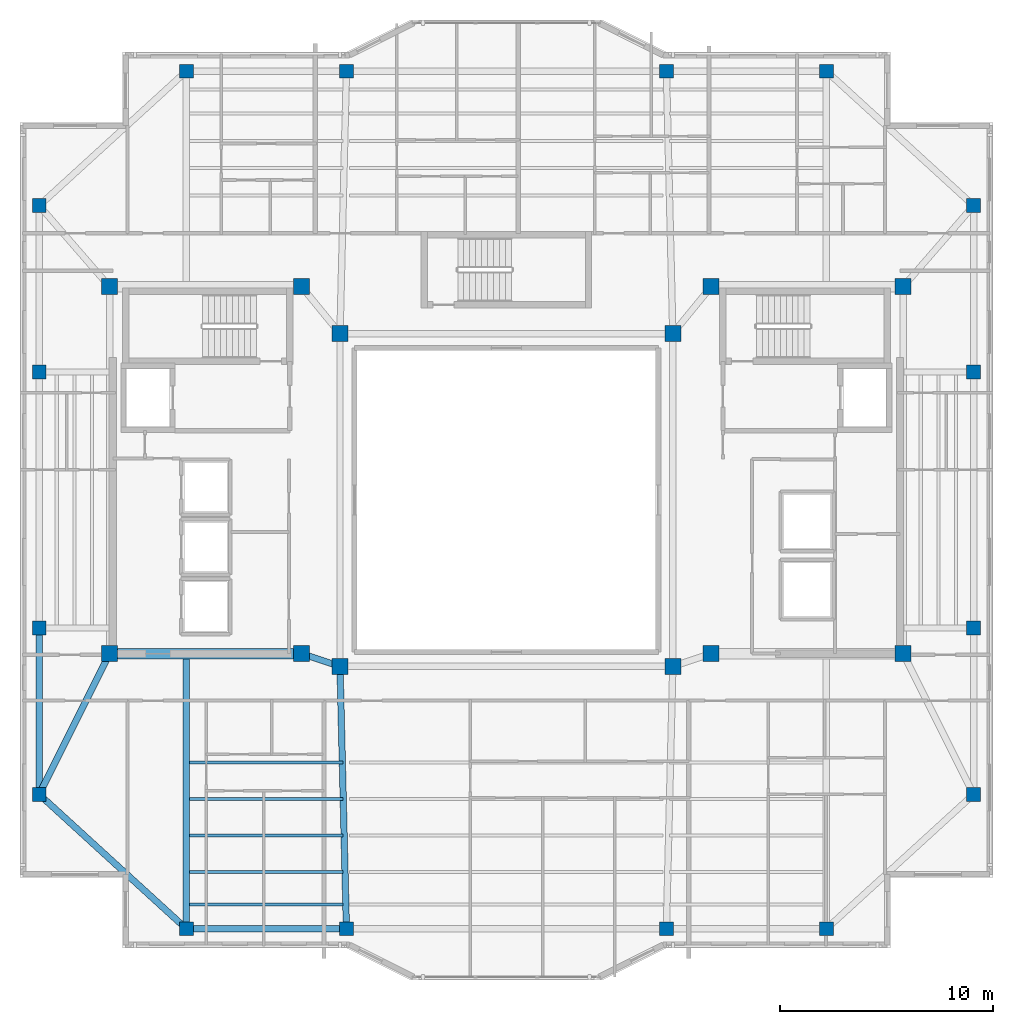
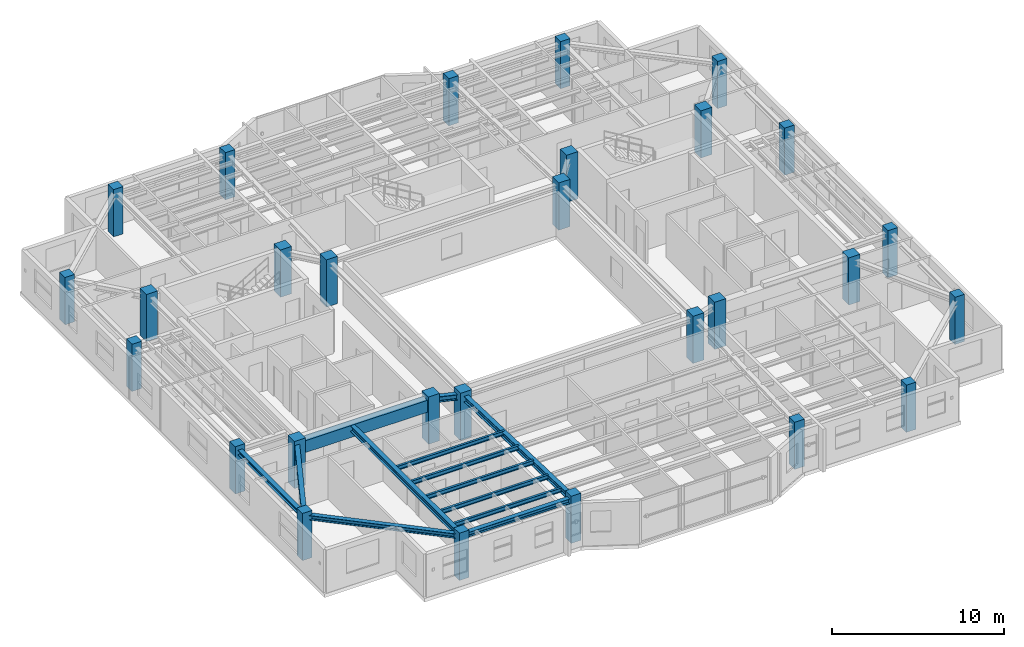
# One storey, part 1 of 15: 28 columns, 13 beams.
"""IFC4 building model written with IfcOpenShell, lengths in metres."""

from ifc_helpers import new_model, si_unit, direction, frame, origin, origin_2d, place, context, subcontext, project, spatial, rectangle, i_section, extrude, material, material_profile, profile_set, type_object, element, save


model = new_model("IFC4")

# Units and contexts
model_context = context("Model", 3, precision=1e-05, world=origin(), true_north=direction((0.0, 1.0)))
body_context = subcontext(model_context, "Body", "Model", "MODEL_VIEW")
ifc_project = project(units=[si_unit("LENGTHUNIT", "METRE"), si_unit("AREAUNIT", "SQUARE_METRE"), si_unit("VOLUMEUNIT", "CUBIC_METRE"), si_unit("PLANEANGLEUNIT", "RADIAN"), si_unit("MASSUNIT", "GRAM", prefix="KILO")], contexts=[model_context])

# Site, building, storey
site_placement = place(None, origin())
site = spatial("IfcSite", under=ifc_project, at=site_placement, CompositionType="ELEMENT")
building_placement = place(site_placement, origin())
building = spatial("IfcBuilding", under=site, at=building_placement, Name="Tarnavaz Court Tower", CompositionType="ELEMENT")
storey_placement = place(building_placement, frame((0.0, 0.0, 268.300048828125)))
storey = spatial("IfcBuildingStorey", under=building, at=storey_placement, Name="L73", CompositionType="ELEMENT", Elevation=268.300048828125)

# Columns
ifc_material_1 = material(Name="Concrete C50/60", Category="concrete")
ifc_material_profile_1 = material_profile(ifc_material_1, rectangle(XDim=0.64990234375, YDim=0.64990234375, at=origin_2d()), Name="RC 650X650")
ifc_profile_set_1 = profile_set([ifc_material_profile_1], Name="Concrete C50/60")
column_type_1 = type_object("IfcColumnType", Name="CL-RC650", PredefinedType="COLUMN", material=ifc_profile_set_1)
for number, where, z_axis, x_axis, name in (
    (1, (-15.0, 20.10009765625, 0.0), (0.0, 0.0, 1.0), (1.0, 0.0, 0.0), "L73 Column PN-1"),
    (2, (-7.5, 20.10009765625, 0.0), (0.0, 0.0, 1.0), (1.0, 0.0, 0.0), "L73 Column PN-2"),
    (3, (7.5, 20.10009765625, 0.0), (0.0, 0.0, 1.0), (1.0, 0.0, 0.0), "L73 Column PN-3"),
    (4, (15.0, 20.10009765625, 0.0), (0.0, 0.0, 1.0), (1.0, 0.0, 0.0), "L73 Column PN-4"),
    (5, (-15.0, -20.10009765625, 0.0), (0.0, 0.0, 1.0), (1.0, 0.0, 0.0), "L73 Column PS-1"),
    (6, (-7.5, -20.10009765625, 0.0), (0.0, 0.0, 1.0), (1.0, 0.0, 0.0), "L73 Column PS-2"),
    (7, (7.5, -20.10009765625, 0.0), (0.0, 0.0, 1.0), (1.0, 0.0, 0.0), "L73 Column PS-3"),
    (8, (15.0, -20.10009765625, 0.0), (0.0, 0.0, 1.0), (1.0, 0.0, 0.0), "L73 Column PS-4"),
    (9, (21.89990234375, -13.800048828125, 0.0), (0.0, 0.0, 1.0), (1.0, 0.0, 0.0), "L73 Column PE-1"),
    (10, (21.89990234375, -6.0, 0.0), (0.0, 0.0, 1.0), (1.0, 0.0, 0.0), "L73 Column PE-2"),
    (11, (21.89990234375, 6.0, 0.0), (0.0, 0.0, 1.0), (1.0, 0.0, 0.0), "L73 Column PE-3"),
    (12, (21.89990234375, 13.800048828125, 0.0), (0.0, 0.0, 1.0), (1.0, 0.0, 0.0), "L73 Column PE-4"),
    (13, (-21.89990234375, -13.800048828125, 0.0), (0.0, 0.0, 1.0), (1.0, 0.0, 0.0), "L73 Column PW-1"),
    (14, (-21.89990234375, -6.0, 0.0), (0.0, 0.0, 1.0), (1.0, 0.0, 0.0), "L73 Column PW-2"),
    (15, (-21.89990234375, 6.0, 0.0), (0.0, 0.0, 1.0), (1.0, 0.0, 0.0), "L73 Column PW-3"),
    (16, (-21.89990234375, 13.800048828125, 0.0), (0.0, 0.0, 1.0), (1.0, 0.0, 0.0), "L73 Column PW-4"),
):
    element("IfcColumn", number, at=place(storey_placement, frame(where, z_axis=z_axis, x_axis=x_axis)), inside=storey, type_object=column_type_1, Name=name, PredefinedType="COLUMN", context=body_context, shape_type="SweptSolid", body=[
        extrude(rectangle(XDim=0.64990234375, YDim=0.64990234375, at=origin_2d()), origin(), (0.0, 0.0, 1.0), 3.349853515625),
    ])
ifc_material_profile_2 = material_profile(ifc_material_1, rectangle(XDim=0.75, YDim=0.75, at=origin_2d()), Name="RC 750X750")
ifc_profile_set_2 = profile_set([ifc_material_profile_2], Name="Concrete C50/60")
column_type_2 = type_object("IfcColumnType", Name="CL-RC750", PredefinedType="COLUMN", material=ifc_profile_set_2)
for number, where, z_axis, x_axis, name in (
    (17, (-7.800048828125, -7.800048828125, 0.0), (0.0, 0.0, 1.0), (1.0, 0.0, 0.0), "L73 Column IW-SW"),
    (18, (7.800048828125, -7.800048828125, 0.0), (0.0, 0.0, 1.0), (1.0, 0.0, 0.0), "L73 Column IW-SE"),
    (19, (-7.800048828125, 7.800048828125, 0.0), (0.0, 0.0, 1.0), (1.0, 0.0, 0.0), "L73 Column IW-NW"),
    (20, (7.800048828125, 7.800048828125, 0.0), (0.0, 0.0, 1.0), (1.0, 0.0, 0.0), "L73 Column IW-NE"),
    (21, (-9.60009765625, -7.199951171875, 0.0), (0.0, 0.0, 1.0), (1.0, 0.0, 0.0), "L73 Column CW-SI"),
    (22, (-9.60009765625, 10.0, 0.0), (0.0, 0.0, 1.0), (1.0, 0.0, 0.0), "L73 Column CW-NI"),
    (23, (9.60009765625, -7.199951171875, 0.0), (0.0, 0.0, 1.0), (1.0, 0.0, 0.0), "L73 Column CE-SI"),
    (24, (9.60009765625, 10.0, 0.0), (0.0, 0.0, 1.0), (1.0, 0.0, 0.0), "L73 Column CE-NI"),
    (25, (-18.60009765625, -7.199951171875, 0.0), (0.0, 0.0, 1.0), (1.0, 0.0, 0.0), "L73 Column CW-SO"),
    (26, (-18.60009765625, 10.0, 0.0), (0.0, 0.0, 1.0), (1.0, 0.0, 0.0), "L73 Column CW-NO"),
    (27, (18.60009765625, -7.199951171875, 0.0), (0.0, 0.0, 1.0), (1.0, 0.0, 0.0), "L73 Column CE-SO"),
    (28, (18.60009765625, 10.0, 0.0), (0.0, 0.0, 1.0), (1.0, 0.0, 0.0), "L73 Column CE-NO"),
):
    element("IfcColumn", number, at=place(storey_placement, frame(where, z_axis=z_axis, x_axis=x_axis)), inside=storey, type_object=column_type_2, Name=name, PredefinedType="COLUMN", context=body_context, shape_type="SweptSolid", body=[
        extrude(rectangle(XDim=0.75, YDim=0.75, at=origin_2d()), origin(), (0.0, 0.0, 1.0), 3.349853515625),
    ])

# Beams
ifc_material_profile_3 = material_profile(ifc_material_1, rectangle(XDim=0.5, YDim=0.85009765625, at=origin_2d()), Name="RC 500X850")
ifc_profile_set_3 = profile_set([ifc_material_profile_3], Name="Concrete C50/60")
beam_type_1 = type_object("IfcBeamType", Name="BM-CB850", PredefinedType="LINTEL", material=ifc_profile_set_3)
beam_1_placement = place(storey_placement, frame((-18.3798828125, -7.199951171875, 2.625), z_axis=(1.0, 0.0, 0.0), x_axis=(0.0, 1.0, 0.0)))
element("IfcBeam", 29, at=beam_1_placement, inside=storey, type_object=beam_type_1, Name="L73 Beam IN-CW-SO-CW-SI", PredefinedType="LINTEL", context=body_context, shape_type="SweptSolid", body=[
    extrude(rectangle(XDim=0.5, YDim=0.85009765625, at=origin_2d()), origin(), (0.0, 0.0, 1.0), 8.559814453125),
])
ifc_material_2 = material(Name="Steel S355", Category="steel")
ifc_material_profile_4 = material_profile(ifc_material_2, i_section(OverallWidth=0.300048828125, OverallDepth=0.39990234375, WebThickness=0.013427734375, FlangeThickness=0.02392578125, FilletRadius=0.027099609375, at=origin_2d()), Name="HEB 400")
ifc_profile_set_4 = profile_set([ifc_material_profile_4], Name="Steel S355")
beam_type_2 = type_object("IfcBeamType", Name="BM-G-HEB400", PredefinedType="USERDEFINED", material=ifc_profile_set_4)
beam_2_placement = place(storey_placement, frame((-9.391357421875, -7.26953125, 2.849853515625), z_axis=(0.948666544706, -0.316278021615, 0.0), x_axis=(0.316278021615, 0.948666544706, 0.0)))
element("IfcBeam", 30, at=beam_2_placement, inside=storey, type_object=beam_type_2, Name="L73 Beam IN-CW-SI-IW-SW", ObjectType="GIRDER", PredefinedType="USERDEFINED", context=body_context, shape_type="SweptSolid", body=[
    extrude(i_section(OverallWidth=0.300048828125, OverallDepth=0.39990234375, WebThickness=0.013427734375, FlangeThickness=0.02392578125, FilletRadius=0.027099609375, at=origin_2d()), origin(), (0.0, 0.0, 1.0), 1.457275390625),
])
beam_3_placement = place(storey_placement, frame((-15.0, -7.239990234375, 2.849853515625), z_axis=(0.0, -1.0, 0.0), x_axis=(1.0, 0.0, 0.0)))
element("IfcBeam", 31, at=beam_3_placement, inside=storey, type_object=beam_type_2, Name="L73 Beam RG-05", ObjectType="GIRDER", PredefinedType="USERDEFINED", context=body_context, shape_type="SweptSolid", body=[
    extrude(i_section(OverallWidth=0.300048828125, OverallDepth=0.39990234375, WebThickness=0.013427734375, FlangeThickness=0.02392578125, FilletRadius=0.027099609375, at=origin_2d()), origin(), (0.0, 0.0, 1.0), 12.639892578125),
])
beam_4_placement = place(storey_placement, frame((-7.794677734375, -8.02001953125, 2.849853515625), z_axis=(0.024386002211, -0.99970261723, 0.0), x_axis=(0.99970261723, 0.024386002211, 0.0)))
element("IfcBeam", 32, at=beam_4_placement, inside=storey, type_object=beam_type_2, Name="L73 Beam RG-06", ObjectType="GIRDER", PredefinedType="USERDEFINED", context=body_context, shape_type="SweptSolid", body=[
    extrude(i_section(OverallWidth=0.300048828125, OverallDepth=0.39990234375, WebThickness=0.013427734375, FlangeThickness=0.02392578125, FilletRadius=0.027099609375, at=origin_2d()), origin(), (0.0, 0.0, 1.0), 11.863525390625),
])
beam_5_placement = place(storey_placement, frame((-18.698486328125, -7.396728515625, 2.849853515625), z_axis=(-0.447185448279, -0.894441264057, 0.0), x_axis=(0.894441264057, -0.447185448279, 0.0)))
element("IfcBeam", 33, at=beam_5_placement, inside=storey, type_object=beam_type_2, Name="L73 Beam RG-15", ObjectType="GIRDER", PredefinedType="USERDEFINED", context=body_context, shape_type="SweptSolid", body=[
    extrude(i_section(OverallWidth=0.300048828125, OverallDepth=0.39990234375, WebThickness=0.013427734375, FlangeThickness=0.02392578125, FilletRadius=0.027099609375, at=origin_2d()), origin(), (0.0, 0.0, 1.0), 6.93896484375),
])
ifc_material_profile_5 = material_profile(ifc_material_2, i_section(OverallWidth=0.14990234375, OverallDepth=0.300048828125, WebThickness=0.007080078125, FlangeThickness=0.0107421875, FilletRadius=0.014892578125, at=origin_2d()), Name="IPE 300")
ifc_profile_set_5 = profile_set([ifc_material_profile_5], Name="Steel S355")
beam_type_3 = type_object("IfcBeamType", Name="BM-J-IPE300", PredefinedType="JOIST", material=ifc_profile_set_5)
for number, where, z_axis, x_axis, name in (
    (34, (-14.85009765625, -12.31005859375, 2.89990234375), (1.0, 0.0, 0.0), (0.0, 1.0, 0.0), "L73 Beam JS1-1"),
    (35, (-14.85009765625, -14.02001953125, 2.89990234375), (1.0, 0.0, 0.0), (0.0, 1.0, 0.0), "L73 Beam JS2-1"),
    (36, (-14.85009765625, -15.72998046875, 2.89990234375), (1.0, 0.0, 0.0), (0.0, 1.0, 0.0), "L73 Beam JS3-1"),
    (37, (-14.85009765625, -17.43994140625, 2.89990234375), (1.0, 0.0, 0.0), (0.0, 1.0, 0.0), "L73 Beam JS4-1"),
    (38, (-14.85009765625, -18.9599609375, 2.89990234375), (1.0, 0.0, 0.0), (0.0, 1.0, 0.0), "L73 Beam JS5-1"),
):
    element("IfcBeam", number, at=place(storey_placement, frame(where, z_axis=z_axis, x_axis=x_axis)), inside=storey, type_object=beam_type_3, Name=name, PredefinedType="JOIST", context=body_context, shape_type="SweptSolid", body=[
        extrude(i_section(OverallWidth=0.14990234375, OverallDepth=0.300048828125, WebThickness=0.007080078125, FlangeThickness=0.0107421875, FilletRadius=0.014892578125, at=origin_2d()), origin(), (0.0, 0.0, 1.0), 7.2001953125),
    ])
ifc_material_profile_6 = material_profile(ifc_material_2, i_section(OverallWidth=0.300048828125, OverallDepth=0.330078125, WebThickness=0.009521484375, FlangeThickness=0.0166015625, FilletRadius=0.027099609375, at=origin_2d()), Name="HEA 340")
ifc_profile_set_6 = profile_set([ifc_material_profile_6], Name="Steel S355")
beam_type_4 = type_object("IfcBeamType", Name="BM-SP-HEA340", PredefinedType="BEAM", material=ifc_profile_set_6)
beam_6_placement = place(storey_placement, frame((-14.780029296875, -20.10009765625, 2.885009765625), z_axis=(1.0, 0.0, 0.0), x_axis=(0.0, 1.0, 0.0)))
element("IfcBeam", 39, at=beam_6_placement, inside=storey, type_object=beam_type_4, Name="L73 Beam PR-PS-1-PS-2", PredefinedType="BEAM", context=body_context, shape_type="SweptSolid", body=[
    extrude(i_section(OverallWidth=0.300048828125, OverallDepth=0.330078125, WebThickness=0.009521484375, FlangeThickness=0.0166015625, FilletRadius=0.027099609375, at=origin_2d()), origin(), (0.0, 0.0, 1.0), 7.06005859375),
])
beam_7_placement = place(storey_placement, frame((-21.89990234375, -13.580078125, 2.885009765625), z_axis=(0.0, 1.0, 0.0), x_axis=(-1.0, 0.0, 0.0)))
element("IfcBeam", 40, at=beam_7_placement, inside=storey, type_object=beam_type_4, Name="L73 Beam PR-PW-1-PW-2", PredefinedType="BEAM", context=body_context, shape_type="SweptSolid", body=[
    extrude(i_section(OverallWidth=0.300048828125, OverallDepth=0.330078125, WebThickness=0.009521484375, FlangeThickness=0.0166015625, FilletRadius=0.027099609375, at=origin_2d()), origin(), (0.0, 0.0, 1.0), 7.360107421875),
])
beam_8_placement = place(storey_placement, frame((-15.16259765625, -19.95166015625, 2.885009765625), z_axis=(-0.738474214476, 0.674281717499, 0.0), x_axis=(-0.674281717499, -0.738474214476, 0.0)))
element("IfcBeam", 41, at=beam_8_placement, inside=storey, type_object=beam_type_4, Name="L73 Beam PR-PS-1-PW-1", PredefinedType="BEAM", context=body_context, shape_type="SweptSolid", body=[
    extrude(i_section(OverallWidth=0.300048828125, OverallDepth=0.330078125, WebThickness=0.009521484375, FlangeThickness=0.0166015625, FilletRadius=0.027099609375, at=origin_2d()), origin(), (0.0, 0.0, 1.0), 8.9033203125),
])

save(model, "model.ifc")
